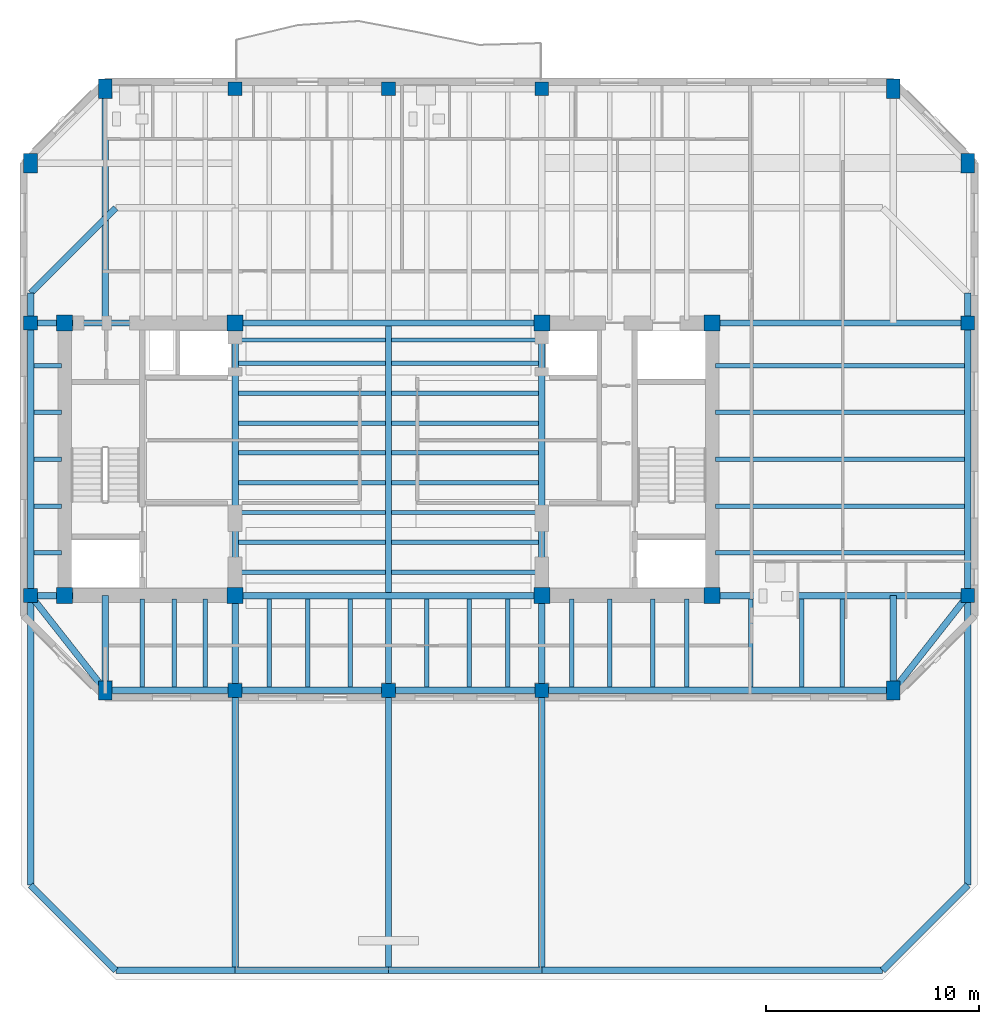
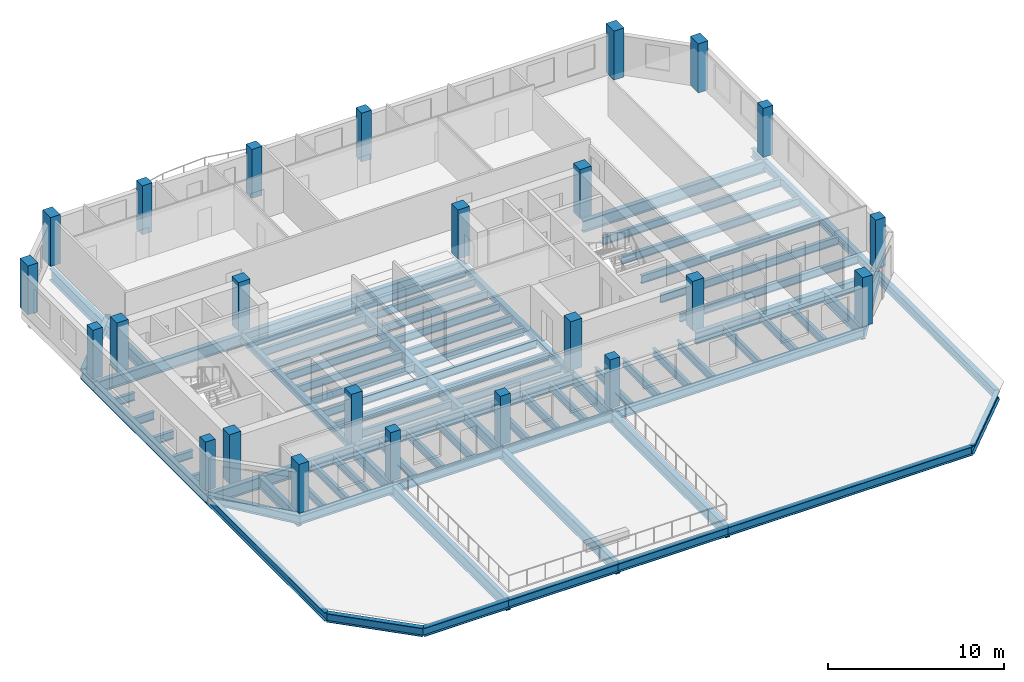
# One storey, part 1 of 10: 78 beams, 24 columns.
"""IFC4 building model written with IfcOpenShell, lengths in metres."""

from ifc_helpers import new_model, si_unit, direction, frame, origin, origin_2d, place, context, subcontext, project, spatial, rectangle, i_section, extrude, material, material_profile, profile_set, type_object, element, save


model = new_model("IFC4")

# Units and contexts
model_context = context("Model", 3, precision=1e-05, world=origin(), true_north=direction((0.0, 1.0)))
body_context = subcontext(model_context, "Body", "Model", "MODEL_VIEW")
ifc_project = project(units=[si_unit("LENGTHUNIT", "METRE"), si_unit("AREAUNIT", "SQUARE_METRE"), si_unit("VOLUMEUNIT", "CUBIC_METRE"), si_unit("PLANEANGLEUNIT", "RADIAN"), si_unit("MASSUNIT", "GRAM", prefix="KILO")], contexts=[model_context])

# Site, building, storey
site_placement = place(None, origin())
site = spatial("IfcSite", under=ifc_project, at=site_placement, CompositionType="ELEMENT")
building_placement = place(site_placement, origin())
building = spatial("IfcBuilding", under=site, at=building_placement, Name="Kranthara Brick Stack", CompositionType="ELEMENT")
storey_placement = place(building_placement, frame((0.0, 0.0, 248.300048828125)))
storey = spatial("IfcBuildingStorey", under=building, at=storey_placement, Name="L65", CompositionType="ELEMENT", Elevation=248.300048828125)

# Columns
ifc_material_1 = material(Name="Concrete C50/60", Category="concrete")
ifc_material_profile_1 = material_profile(ifc_material_1, rectangle(XDim=0.64990234375, YDim=0.89990234375, at=origin_2d()), Name="RC 650x900")
ifc_profile_set_1 = profile_set([ifc_material_profile_1], Name="Concrete C50/60")
column_type_1 = type_object("IfcColumnType", Name="COL-CHAM-650x900", PredefinedType="COLUMN", material=ifc_profile_set_1)
for number, where, z_axis, x_axis, name in (
    (1, (14.699951171875, 16.35009765625, 0.0), (0.0, 0.0, 1.0), (1.0, 0.0, 0.0), "L65 Column 09"),
    (2, (14.699951171875, 44.60009765625, 0.0), (0.0, 0.0, 1.0), (1.0, 0.0, 0.0), "L65 Column 10"),
    (3, (51.699951171875, 16.35009765625, 0.0), (0.0, 0.0, 1.0), (1.0, 0.0, 0.0), "L65 Column 17"),
    (4, (51.699951171875, 44.60009765625, 0.0), (0.0, 0.0, 1.0), (1.0, 0.0, 0.0), "L65 Column 18"),
    (5, (11.199951171875, 41.10009765625, 0.0), (0.0, 0.0, 1.0), (1.0, 0.0, 0.0), "L65 Column 23"),
    (6, (55.199951171875, 41.10009765625, 0.0), (0.0, 0.0, 1.0), (1.0, 0.0, 0.0), "L65 Column 24"),
):
    element("IfcColumn", number, at=place(storey_placement, frame(where, z_axis=z_axis, x_axis=x_axis)), inside=storey, type_object=column_type_1, Name=name, PredefinedType="COLUMN", context=body_context, shape_type="SweptSolid", body=[
        extrude(rectangle(XDim=0.64990234375, YDim=0.89990234375, at=origin_2d()), origin(), (0.0, 0.0, 1.0), 3.39990234375),
    ])
ifc_material_2 = material(Name="Concrete C50/60", Category="concrete")
ifc_material_profile_2 = material_profile(ifc_material_2, rectangle(XDim=0.75, YDim=0.75, at=origin_2d()), Name="RC 750x750")
ifc_profile_set_2 = profile_set([ifc_material_profile_2], Name="Concrete C50/60")
column_type_2 = type_object("IfcColumnType", Name="COL-CORE-750", PredefinedType="COLUMN", material=ifc_profile_set_2)
for number, where, z_axis, x_axis, name in (
    (7, (12.800048828125, 20.800048828125, 0.0), (0.0, 0.0, 1.0), (1.0, 0.0, 0.0), "L65 Column 01"),
    (8, (20.800048828125, 20.800048828125, 0.0), (0.0, 0.0, 1.0), (1.0, 0.0, 0.0), "L65 Column 02"),
    (9, (12.800048828125, 33.60009765625, 0.0), (0.0, 0.0, 1.0), (1.0, 0.0, 0.0), "L65 Column 03"),
    (10, (20.800048828125, 33.60009765625, 0.0), (0.0, 0.0, 1.0), (1.0, 0.0, 0.0), "L65 Column 04"),
    (11, (35.199951171875, 20.800048828125, 0.0), (0.0, 0.0, 1.0), (1.0, 0.0, 0.0), "L65 Column 05"),
    (12, (43.199951171875, 20.800048828125, 0.0), (0.0, 0.0, 1.0), (1.0, 0.0, 0.0), "L65 Column 06"),
    (13, (35.199951171875, 33.60009765625, 0.0), (0.0, 0.0, 1.0), (1.0, 0.0, 0.0), "L65 Column 07"),
    (14, (43.199951171875, 33.60009765625, 0.0), (0.0, 0.0, 1.0), (1.0, 0.0, 0.0), "L65 Column 08"),
):
    element("IfcColumn", number, at=place(storey_placement, frame(where, z_axis=z_axis, x_axis=x_axis)), inside=storey, type_object=column_type_2, Name=name, PredefinedType="COLUMN", context=body_context, shape_type="SweptSolid", body=[
        extrude(rectangle(XDim=0.75, YDim=0.75, at=origin_2d()), origin(), (0.0, 0.0, 1.0), 3.39990234375),
    ])
ifc_material_3 = material(Name="Concrete C50/60", Category="concrete")
ifc_material_profile_3 = material_profile(ifc_material_3, rectangle(XDim=0.64990234375, YDim=0.64990234375, at=origin_2d()), Name="RC 650x650")
ifc_profile_set_3 = profile_set([ifc_material_profile_3], Name="Concrete C50/60")
column_type_3 = type_object("IfcColumnType", Name="COL-PER-650", PredefinedType="COLUMN", material=ifc_profile_set_3)
for number, where, z_axis, x_axis, name in (
    (15, (20.800048828125, 16.35009765625, 0.0), (0.0, 0.0, 1.0), (1.0, 0.0, 0.0), "L65 Column 11"),
    (16, (20.800048828125, 44.60009765625, 0.0), (0.0, 0.0, 1.0), (1.0, 0.0, 0.0), "L65 Column 12"),
    (17, (28.0, 16.35009765625, 0.0), (0.0, 0.0, 1.0), (1.0, 0.0, 0.0), "L65 Column 13"),
    (18, (28.0, 44.60009765625, 0.0), (0.0, 0.0, 1.0), (1.0, 0.0, 0.0), "L65 Column 14"),
    (19, (35.199951171875, 16.35009765625, 0.0), (0.0, 0.0, 1.0), (1.0, 0.0, 0.0), "L65 Column 15"),
    (20, (35.199951171875, 44.60009765625, 0.0), (0.0, 0.0, 1.0), (1.0, 0.0, 0.0), "L65 Column 16"),
    (21, (11.199951171875, 20.800048828125, 0.0), (0.0, 0.0, 1.0), (1.0, 0.0, 0.0), "L65 Column 19"),
    (22, (55.199951171875, 20.800048828125, 0.0), (0.0, 0.0, 1.0), (1.0, 0.0, 0.0), "L65 Column 20"),
    (23, (11.199951171875, 33.60009765625, 0.0), (0.0, 0.0, 1.0), (1.0, 0.0, 0.0), "L65 Column 21"),
    (24, (55.199951171875, 33.60009765625, 0.0), (0.0, 0.0, 1.0), (1.0, 0.0, 0.0), "L65 Column 22"),
):
    element("IfcColumn", number, at=place(storey_placement, frame(where, z_axis=z_axis, x_axis=x_axis)), inside=storey, type_object=column_type_3, Name=name, PredefinedType="COLUMN", context=body_context, shape_type="SweptSolid", body=[
        extrude(rectangle(XDim=0.64990234375, YDim=0.64990234375, at=origin_2d()), origin(), (0.0, 0.0, 1.0), 3.39990234375),
    ])

# Beams
ifc_material_4 = material(Name="Steel S355", Category="steel")
ifc_material_profile_4 = material_profile(ifc_material_4, i_section(OverallWidth=0.2099609375, OverallDepth=0.550048828125, WebThickness=0.010986328125, FlangeThickness=0.01708984375, at=origin_2d()), Name="IPE 550")
ifc_profile_set_4 = profile_set([ifc_material_profile_4], Name="Steel S355")
beam_type_1 = type_object("IfcBeamType", Name="BM-JST-IPE550", PredefinedType="JOIST", material=ifc_profile_set_4)
for number, where, z_axis, x_axis, name in (
    (25, (20.949951171875, 21.89990234375, -0.72509765625), (1.0, 0.0, 0.0), (0.0, 1.0, 0.0), "L65 Central Floor Joist 055"),
    (26, (28.14990234375, 21.89990234375, -0.72509765625), (1.0, 0.0, 0.0), (0.0, 1.0, 0.0), "L65 Central Floor Joist 056"),
    (27, (20.949951171875, 23.300048828125, -0.72509765625), (1.0, 0.0, 0.0), (0.0, 1.0, 0.0), "L65 Central Floor Joist 057"),
    (28, (28.14990234375, 23.300048828125, -0.72509765625), (1.0, 0.0, 0.0), (0.0, 1.0, 0.0), "L65 Central Floor Joist 058"),
    (29, (20.949951171875, 24.699951171875, -0.72509765625), (1.0, 0.0, 0.0), (0.0, 1.0, 0.0), "L65 Central Floor Joist 059"),
    (30, (28.14990234375, 24.699951171875, -0.72509765625), (1.0, 0.0, 0.0), (0.0, 1.0, 0.0), "L65 Central Floor Joist 060"),
    (31, (20.949951171875, 26.10009765625, -0.72509765625), (1.0, 0.0, 0.0), (0.0, 1.0, 0.0), "L65 Central Floor Joist 061"),
    (32, (28.14990234375, 26.10009765625, -0.72509765625), (1.0, 0.0, 0.0), (0.0, 1.0, 0.0), "L65 Central Floor Joist 062"),
    (33, (20.949951171875, 27.5, -0.72509765625), (1.0, 0.0, 0.0), (0.0, 1.0, 0.0), "L65 Central Floor Joist 063"),
    (34, (28.14990234375, 27.5, -0.72509765625), (1.0, 0.0, 0.0), (0.0, 1.0, 0.0), "L65 Central Floor Joist 064"),
    (35, (20.949951171875, 28.89990234375, -0.72509765625), (1.0, 0.0, 0.0), (0.0, 1.0, 0.0), "L65 Central Floor Joist 065"),
    (36, (28.14990234375, 28.89990234375, -0.72509765625), (1.0, 0.0, 0.0), (0.0, 1.0, 0.0), "L65 Central Floor Joist 066"),
    (37, (20.949951171875, 30.300048828125, -0.72509765625), (1.0, 0.0, 0.0), (0.0, 1.0, 0.0), "L65 Central Floor Joist 067"),
    (38, (28.14990234375, 30.300048828125, -0.72509765625), (1.0, 0.0, 0.0), (0.0, 1.0, 0.0), "L65 Central Floor Joist 068"),
    (39, (20.949951171875, 31.699951171875, -0.72509765625), (1.0, 0.0, 0.0), (0.0, 1.0, 0.0), "L65 Central Floor Joist 069"),
    (40, (28.14990234375, 31.699951171875, -0.72509765625), (1.0, 0.0, 0.0), (0.0, 1.0, 0.0), "L65 Central Floor Joist 070"),
    (41, (20.949951171875, 32.800048828125, -0.72509765625), (1.0, 0.0, 0.0), (0.0, 1.0, 0.0), "L65 Central Floor Joist 071"),
    (42, (28.14990234375, 32.800048828125, -0.72509765625), (1.0, 0.0, 0.0), (0.0, 1.0, 0.0), "L65 Central Floor Joist 072"),
):
    element("IfcBeam", number, at=place(storey_placement, frame(where, z_axis=z_axis, x_axis=x_axis)), inside=storey, type_object=beam_type_1, Name=name, PredefinedType="JOIST", context=body_context, shape_type="SweptSolid", body=[
        extrude(i_section(OverallWidth=0.2099609375, OverallDepth=0.550048828125, WebThickness=0.010986328125, FlangeThickness=0.01708984375, at=origin_2d()), origin(), (0.0, 0.0, 1.0), 6.900146484375),
    ])
for number, where, z_axis, x_axis, name in (
    (43, (16.449951171875, 16.5, -0.72509765625), (0.0, 1.0, 0.0), (-1.0, 0.0, 0.0), "L65 South Wing Floor Joist 073"),
    (44, (17.949951171875, 16.5, -0.72509765625), (0.0, 1.0, 0.0), (-1.0, 0.0, 0.0), "L65 South Wing Floor Joist 075"),
    (45, (19.39990234375, 16.5, -0.72509765625), (0.0, 1.0, 0.0), (-1.0, 0.0, 0.0), "L65 South Wing Floor Joist 077"),
    (46, (22.39990234375, 16.5, -0.72509765625), (0.0, 1.0, 0.0), (-1.0, 0.0, 0.0), "L65 South Wing Floor Joist 079"),
    (47, (24.199951171875, 16.5, -0.72509765625), (0.0, 1.0, 0.0), (-1.0, 0.0, 0.0), "L65 South Wing Floor Joist 081"),
    (48, (26.199951171875, 16.5, -0.72509765625), (0.0, 1.0, 0.0), (-1.0, 0.0, 0.0), "L65 South Wing Floor Joist 083"),
    (49, (29.800048828125, 16.5, -0.72509765625), (0.0, 1.0, 0.0), (-1.0, 0.0, 0.0), "L65 South Wing Floor Joist 085"),
    (50, (31.800048828125, 16.5, -0.72509765625), (0.0, 1.0, 0.0), (-1.0, 0.0, 0.0), "L65 South Wing Floor Joist 087"),
    (51, (33.60009765625, 16.5, -0.72509765625), (0.0, 1.0, 0.0), (-1.0, 0.0, 0.0), "L65 South Wing Floor Joist 089"),
    (52, (36.60009765625, 16.5, -0.72509765625), (0.0, 1.0, 0.0), (-1.0, 0.0, 0.0), "L65 South Wing Floor Joist 091"),
    (53, (38.39990234375, 16.5, -0.72509765625), (0.0, 1.0, 0.0), (-1.0, 0.0, 0.0), "L65 South Wing Floor Joist 093"),
    (54, (40.39990234375, 16.5, -0.72509765625), (0.0, 1.0, 0.0), (-1.0, 0.0, 0.0), "L65 South Wing Floor Joist 095"),
    (55, (42.0, 16.5, -0.72509765625), (0.0, 1.0, 0.0), (-1.0, 0.0, 0.0), "L65 South Wing Floor Joist 097"),
    (56, (45.0, 16.5, -0.72509765625), (0.0, 1.0, 0.0), (-1.0, 0.0, 0.0), "L65 South Wing Floor Joist 099"),
    (57, (47.39990234375, 16.5, -0.72509765625), (0.0, 1.0, 0.0), (-1.0, 0.0, 0.0), "L65 South Wing Floor Joist 101"),
    (58, (49.300048828125, 16.5, -0.72509765625), (0.0, 1.0, 0.0), (-1.0, 0.0, 0.0), "L65 South Wing Floor Joist 103"),
):
    element("IfcBeam", number, at=place(storey_placement, frame(where, z_axis=z_axis, x_axis=x_axis)), inside=storey, type_object=beam_type_1, Name=name, PredefinedType="JOIST", context=body_context, shape_type="SweptSolid", body=[
        extrude(i_section(OverallWidth=0.2099609375, OverallDepth=0.550048828125, WebThickness=0.010986328125, FlangeThickness=0.01708984375, at=origin_2d()), origin(), (0.0, 0.0, 1.0), 4.14990234375),
    ])
beam_1_placement = place(storey_placement, frame((11.35009765625, 22.800048828125, -0.72509765625), z_axis=(1.0, 0.0, 0.0), x_axis=(0.0, 1.0, 0.0)))
element("IfcBeam", 59, at=beam_1_placement, inside=storey, type_object=beam_type_1, Name="L65 West Wing Floor Joist 105", PredefinedType="JOIST", context=body_context, shape_type="SweptSolid", body=[
    extrude(i_section(OverallWidth=0.2099609375, OverallDepth=0.550048828125, WebThickness=0.010986328125, FlangeThickness=0.01708984375, at=origin_2d()), origin(), (0.0, 0.0, 1.0), 1.2998046875),
])
beam_2_placement = place(storey_placement, frame((43.35009765625, 22.800048828125, -0.72509765625), z_axis=(1.0, 0.0, 0.0), x_axis=(0.0, 1.0, 0.0)))
element("IfcBeam", 60, at=beam_2_placement, inside=storey, type_object=beam_type_1, Name="L65 East Wing Floor Joist 106", PredefinedType="JOIST", context=body_context, shape_type="SweptSolid", body=[
    extrude(i_section(OverallWidth=0.2099609375, OverallDepth=0.550048828125, WebThickness=0.010986328125, FlangeThickness=0.01708984375, at=origin_2d()), origin(), (0.0, 0.0, 1.0), 11.699951171875),
])
beam_3_placement = place(storey_placement, frame((11.35009765625, 25.0, -0.72509765625), z_axis=(1.0, 0.0, 0.0), x_axis=(0.0, 1.0, 0.0)))
element("IfcBeam", 61, at=beam_3_placement, inside=storey, type_object=beam_type_1, Name="L65 West Wing Floor Joist 107", PredefinedType="JOIST", context=body_context, shape_type="SweptSolid", body=[
    extrude(i_section(OverallWidth=0.2099609375, OverallDepth=0.550048828125, WebThickness=0.010986328125, FlangeThickness=0.01708984375, at=origin_2d()), origin(), (0.0, 0.0, 1.0), 1.2998046875),
])
beam_4_placement = place(storey_placement, frame((43.35009765625, 25.0, -0.72509765625), z_axis=(1.0, 0.0, 0.0), x_axis=(0.0, 1.0, 0.0)))
element("IfcBeam", 62, at=beam_4_placement, inside=storey, type_object=beam_type_1, Name="L65 East Wing Floor Joist 108", PredefinedType="JOIST", context=body_context, shape_type="SweptSolid", body=[
    extrude(i_section(OverallWidth=0.2099609375, OverallDepth=0.550048828125, WebThickness=0.010986328125, FlangeThickness=0.01708984375, at=origin_2d()), origin(), (0.0, 0.0, 1.0), 11.699951171875),
])
beam_5_placement = place(storey_placement, frame((11.35009765625, 27.199951171875, -0.72509765625), z_axis=(1.0, 0.0, 0.0), x_axis=(0.0, 1.0, 0.0)))
element("IfcBeam", 63, at=beam_5_placement, inside=storey, type_object=beam_type_1, Name="L65 West Wing Floor Joist 109", PredefinedType="JOIST", context=body_context, shape_type="SweptSolid", body=[
    extrude(i_section(OverallWidth=0.2099609375, OverallDepth=0.550048828125, WebThickness=0.010986328125, FlangeThickness=0.01708984375, at=origin_2d()), origin(), (0.0, 0.0, 1.0), 1.2998046875),
])
beam_6_placement = place(storey_placement, frame((43.35009765625, 27.199951171875, -0.72509765625), z_axis=(1.0, 0.0, 0.0), x_axis=(0.0, 1.0, 0.0)))
element("IfcBeam", 64, at=beam_6_placement, inside=storey, type_object=beam_type_1, Name="L65 East Wing Floor Joist 110", PredefinedType="JOIST", context=body_context, shape_type="SweptSolid", body=[
    extrude(i_section(OverallWidth=0.2099609375, OverallDepth=0.550048828125, WebThickness=0.010986328125, FlangeThickness=0.01708984375, at=origin_2d()), origin(), (0.0, 0.0, 1.0), 11.699951171875),
])
beam_7_placement = place(storey_placement, frame((11.35009765625, 29.39990234375, -0.72509765625), z_axis=(1.0, 0.0, 0.0), x_axis=(0.0, 1.0, 0.0)))
element("IfcBeam", 65, at=beam_7_placement, inside=storey, type_object=beam_type_1, Name="L65 West Wing Floor Joist 111", PredefinedType="JOIST", context=body_context, shape_type="SweptSolid", body=[
    extrude(i_section(OverallWidth=0.2099609375, OverallDepth=0.550048828125, WebThickness=0.010986328125, FlangeThickness=0.01708984375, at=origin_2d()), origin(), (0.0, 0.0, 1.0), 1.2998046875),
])
beam_8_placement = place(storey_placement, frame((43.35009765625, 29.39990234375, -0.72509765625), z_axis=(1.0, 0.0, 0.0), x_axis=(0.0, 1.0, 0.0)))
element("IfcBeam", 66, at=beam_8_placement, inside=storey, type_object=beam_type_1, Name="L65 East Wing Floor Joist 112", PredefinedType="JOIST", context=body_context, shape_type="SweptSolid", body=[
    extrude(i_section(OverallWidth=0.2099609375, OverallDepth=0.550048828125, WebThickness=0.010986328125, FlangeThickness=0.01708984375, at=origin_2d()), origin(), (0.0, 0.0, 1.0), 11.699951171875),
])
beam_9_placement = place(storey_placement, frame((11.35009765625, 31.60009765625, -0.72509765625), z_axis=(1.0, 0.0, 0.0), x_axis=(0.0, 1.0, 0.0)))
element("IfcBeam", 67, at=beam_9_placement, inside=storey, type_object=beam_type_1, Name="L65 West Wing Floor Joist 113", PredefinedType="JOIST", context=body_context, shape_type="SweptSolid", body=[
    extrude(i_section(OverallWidth=0.2099609375, OverallDepth=0.550048828125, WebThickness=0.010986328125, FlangeThickness=0.01708984375, at=origin_2d()), origin(), (0.0, 0.0, 1.0), 1.2998046875),
])
beam_10_placement = place(storey_placement, frame((43.35009765625, 31.60009765625, -0.72509765625), z_axis=(1.0, 0.0, 0.0), x_axis=(0.0, 1.0, 0.0)))
element("IfcBeam", 68, at=beam_10_placement, inside=storey, type_object=beam_type_1, Name="L65 East Wing Floor Joist 114", PredefinedType="JOIST", context=body_context, shape_type="SweptSolid", body=[
    extrude(i_section(OverallWidth=0.2099609375, OverallDepth=0.550048828125, WebThickness=0.010986328125, FlangeThickness=0.01708984375, at=origin_2d()), origin(), (0.0, 0.0, 1.0), 11.699951171875),
])
ifc_material_5 = material(Name="Steel S355", Category="steel")
ifc_material_profile_5 = material_profile(ifc_material_5, i_section(OverallWidth=0.300048828125, OverallDepth=0.449951171875, WebThickness=0.013916015625, FlangeThickness=0.02587890625, at=origin_2d()), Name="HEB 450")
ifc_profile_set_5 = profile_set([ifc_material_profile_5], Name="Steel S355")
beam_type_2 = type_object("IfcBeamType", Name="BM-STL-HEB450", PredefinedType="SPANDREL", material=ifc_profile_set_5)
for number, where, z_axis, x_axis, name in (
    (69, (20.800048828125, 20.800048828125, -0.675048828125), (0.0, 1.0, 0.0), (-1.0, 0.0, 0.0), "L65 Core Edge Tie Beam 003"),
    (70, (35.199951171875, 20.800048828125, -0.675048828125), (0.0, 1.0, 0.0), (-1.0, 0.0, 0.0), "L65 Core Edge Tie Beam 004"),
):
    element("IfcBeam", number, at=place(storey_placement, frame(where, z_axis=z_axis, x_axis=x_axis)), inside=storey, type_object=beam_type_2, Name=name, PredefinedType="SPANDREL", context=body_context, shape_type="SweptSolid", body=[
        extrude(i_section(OverallWidth=0.300048828125, OverallDepth=0.449951171875, WebThickness=0.013916015625, FlangeThickness=0.02587890625, at=origin_2d()), origin(), (0.0, 0.0, 1.0), 12.800048828125),
    ])
ifc_material_6 = material(Name="Steel S355", Category="steel")
ifc_material_profile_6 = material_profile(ifc_material_6, i_section(OverallWidth=0.300048828125, OverallDepth=0.60009765625, WebThickness=0.015380859375, FlangeThickness=0.030029296875, at=origin_2d()), Name="HEB 600")
ifc_profile_set_6 = profile_set([ifc_material_profile_6], Name="Steel S355")
beam_type_3 = type_object("IfcBeamType", Name="BM-STL-HEB600", PredefinedType="BEAM", material=ifc_profile_set_6)
beam_11_placement = place(storey_placement, frame((15.199951171875, 3.199951171875, -0.75), z_axis=(1.0, 0.0, 0.0), x_axis=(0.0, 1.0, 0.0)))
element("IfcBeam", 71, at=beam_11_placement, inside=storey, type_object=beam_type_3, Name="L65 Perimeter Spandrel Beam 005", PredefinedType="BEAM", context=body_context, shape_type="SweptSolid", body=[
    extrude(i_section(OverallWidth=0.300048828125, OverallDepth=0.60009765625, WebThickness=0.015380859375, FlangeThickness=0.030029296875, at=origin_2d()), origin(), (0.0, 0.0, 1.0), 5.60009765625),
])
for number, where, z_axis, x_axis, name in (
    (72, (20.800048828125, 3.199951171875, -0.75), (1.0, 0.0, 0.0), (0.0, 1.0, 0.0), "L65 Perimeter Spandrel Beam 006"),
    (73, (28.0, 3.199951171875, -0.75), (1.0, 0.0, 0.0), (0.0, 1.0, 0.0), "L65 Perimeter Spandrel Beam 007"),
):
    element("IfcBeam", number, at=place(storey_placement, frame(where, z_axis=z_axis, x_axis=x_axis)), inside=storey, type_object=beam_type_3, Name=name, PredefinedType="BEAM", context=body_context, shape_type="SweptSolid", body=[
        extrude(i_section(OverallWidth=0.300048828125, OverallDepth=0.60009765625, WebThickness=0.015380859375, FlangeThickness=0.030029296875, at=origin_2d()), origin(), (0.0, 0.0, 1.0), 7.199951171875),
    ])
beam_12_placement = place(storey_placement, frame((35.199951171875, 3.199951171875, -0.75), z_axis=(1.0, 0.0, 0.0), x_axis=(0.0, 1.0, 0.0)))
element("IfcBeam", 74, at=beam_12_placement, inside=storey, type_object=beam_type_3, Name="L65 Perimeter Spandrel Beam 008", PredefinedType="BEAM", context=body_context, shape_type="SweptSolid", body=[
    extrude(i_section(OverallWidth=0.300048828125, OverallDepth=0.60009765625, WebThickness=0.015380859375, FlangeThickness=0.030029296875, at=origin_2d()), origin(), (0.0, 0.0, 1.0), 16.0),
])
beam_13_placement = place(storey_placement, frame((11.199951171875, 7.199951171875, -0.75), z_axis=(0.0, 1.0, 0.0), x_axis=(-1.0, 0.0, 0.0)))
element("IfcBeam", 75, at=beam_13_placement, inside=storey, type_object=beam_type_3, Name="L65 Perimeter Spandrel Beam 013", PredefinedType="BEAM", context=body_context, shape_type="SweptSolid", body=[
    extrude(i_section(OverallWidth=0.300048828125, OverallDepth=0.60009765625, WebThickness=0.015380859375, FlangeThickness=0.030029296875, at=origin_2d()), origin(), (0.0, 0.0, 1.0), 13.60009765625),
])
beam_14_placement = place(storey_placement, frame((11.199951171875, 20.800048828125, -0.75), z_axis=(0.0, 1.0, 0.0), x_axis=(-1.0, 0.0, 0.0)))
element("IfcBeam", 76, at=beam_14_placement, inside=storey, type_object=beam_type_3, Name="L65 Perimeter Spandrel Beam 014", PredefinedType="BEAM", context=body_context, shape_type="SweptSolid", body=[
    extrude(i_section(OverallWidth=0.300048828125, OverallDepth=0.60009765625, WebThickness=0.015380859375, FlangeThickness=0.030029296875, at=origin_2d()), origin(), (0.0, 0.0, 1.0), 12.800048828125),
])
beam_15_placement = place(storey_placement, frame((11.199951171875, 33.60009765625, -0.75), z_axis=(0.0, 1.0, 0.0), x_axis=(-1.0, 0.0, 0.0)))
element("IfcBeam", 77, at=beam_15_placement, inside=storey, type_object=beam_type_3, Name="L65 Perimeter Spandrel Beam 015", PredefinedType="BEAM", context=body_context, shape_type="SweptSolid", body=[
    extrude(i_section(OverallWidth=0.300048828125, OverallDepth=0.60009765625, WebThickness=0.015380859375, FlangeThickness=0.030029296875, at=origin_2d()), origin(), (0.0, 0.0, 1.0), 1.39990234375),
])
beam_16_placement = place(storey_placement, frame((55.199951171875, 7.199951171875, -0.75), z_axis=(0.0, 1.0, 0.0), x_axis=(-1.0, 0.0, 0.0)))
element("IfcBeam", 78, at=beam_16_placement, inside=storey, type_object=beam_type_3, Name="L65 Perimeter Spandrel Beam 016", PredefinedType="BEAM", context=body_context, shape_type="SweptSolid", body=[
    extrude(i_section(OverallWidth=0.300048828125, OverallDepth=0.60009765625, WebThickness=0.015380859375, FlangeThickness=0.030029296875, at=origin_2d()), origin(), (0.0, 0.0, 1.0), 13.60009765625),
])
beam_17_placement = place(storey_placement, frame((55.199951171875, 20.800048828125, -0.75), z_axis=(0.0, 1.0, 0.0), x_axis=(-1.0, 0.0, 0.0)))
element("IfcBeam", 79, at=beam_17_placement, inside=storey, type_object=beam_type_3, Name="L65 Perimeter Spandrel Beam 017", PredefinedType="BEAM", context=body_context, shape_type="SweptSolid", body=[
    extrude(i_section(OverallWidth=0.300048828125, OverallDepth=0.60009765625, WebThickness=0.015380859375, FlangeThickness=0.030029296875, at=origin_2d()), origin(), (0.0, 0.0, 1.0), 12.800048828125),
])
beam_18_placement = place(storey_placement, frame((55.199951171875, 33.60009765625, -0.75), z_axis=(0.0, 1.0, 0.0), x_axis=(-1.0, 0.0, 0.0)))
element("IfcBeam", 80, at=beam_18_placement, inside=storey, type_object=beam_type_3, Name="L65 Perimeter Spandrel Beam 018", PredefinedType="BEAM", context=body_context, shape_type="SweptSolid", body=[
    extrude(i_section(OverallWidth=0.300048828125, OverallDepth=0.60009765625, WebThickness=0.015380859375, FlangeThickness=0.030029296875, at=origin_2d()), origin(), (0.0, 0.0, 1.0), 1.39990234375),
])
for number, where, z_axis, x_axis, name in (
    (81, (15.199951171875, 3.199951171875, -0.75), (-0.707106781187, 0.707106781187, 0.0), (-0.707106781187, -0.707106781187, 0.0), "L65 Chamfer Corner Spandrel 019"),
    (82, (51.199951171875, 3.199951171875, -0.75), (0.707106781187, 0.707106781187, 0.0), (-0.707106781187, 0.707106781187, 0.0), "L65 Chamfer Corner Spandrel 020"),
    (83, (15.199951171875, 39.0, -0.75), (-0.707106781187, -0.707106781187, 0.0), (0.707106781187, -0.707106781187, 0.0), "L65 Chamfer Corner Spandrel 021"),
):
    element("IfcBeam", number, at=place(storey_placement, frame(where, z_axis=z_axis, x_axis=x_axis)), inside=storey, type_object=beam_type_3, Name=name, PredefinedType="BEAM", context=body_context, shape_type="SweptSolid", body=[
        extrude(i_section(OverallWidth=0.300048828125, OverallDepth=0.60009765625, WebThickness=0.015380859375, FlangeThickness=0.030029296875, at=origin_2d()), origin(), (0.0, 0.0, 1.0), 5.65673828125),
    ])
beam_19_placement = place(storey_placement, frame((14.699951171875, 16.35009765625, -0.75), z_axis=(1.0, 0.0, 0.0), x_axis=(0.0, 1.0, 0.0)))
element("IfcBeam", 84, at=beam_19_placement, inside=storey, type_object=beam_type_3, Name="L65 Perimeter Spandrel Beam 023", PredefinedType="BEAM", context=body_context, shape_type="SweptSolid", body=[
    extrude(i_section(OverallWidth=0.300048828125, OverallDepth=0.60009765625, WebThickness=0.015380859375, FlangeThickness=0.030029296875, at=origin_2d()), origin(), (0.0, 0.0, 1.0), 6.10009765625),
])
for number, where, z_axis, x_axis, name in (
    (85, (20.800048828125, 16.35009765625, -0.75), (1.0, 0.0, 0.0), (0.0, 1.0, 0.0), "L65 Perimeter Spandrel Beam 024"),
    (86, (28.0, 16.35009765625, -0.75), (1.0, 0.0, 0.0), (0.0, 1.0, 0.0), "L65 Perimeter Spandrel Beam 025"),
):
    element("IfcBeam", number, at=place(storey_placement, frame(where, z_axis=z_axis, x_axis=x_axis)), inside=storey, type_object=beam_type_3, Name=name, PredefinedType="BEAM", context=body_context, shape_type="SweptSolid", body=[
        extrude(i_section(OverallWidth=0.300048828125, OverallDepth=0.60009765625, WebThickness=0.015380859375, FlangeThickness=0.030029296875, at=origin_2d()), origin(), (0.0, 0.0, 1.0), 7.199951171875),
    ])
beam_20_placement = place(storey_placement, frame((35.199951171875, 16.35009765625, -0.75), z_axis=(1.0, 0.0, 0.0), x_axis=(0.0, 1.0, 0.0)))
element("IfcBeam", 87, at=beam_20_placement, inside=storey, type_object=beam_type_3, Name="L65 Perimeter Spandrel Beam 026", PredefinedType="BEAM", context=body_context, shape_type="SweptSolid", body=[
    extrude(i_section(OverallWidth=0.300048828125, OverallDepth=0.60009765625, WebThickness=0.015380859375, FlangeThickness=0.030029296875, at=origin_2d()), origin(), (0.0, 0.0, 1.0), 16.5),
])
for number, where, z_axis, x_axis, name in (
    (88, (14.699951171875, 16.35009765625, -0.75), (-0.618215705636, 0.78600848679, 0.0), (-0.78600848679, -0.618215705636, 0.0), "L65 Chamfer Corner Spandrel 031"),
    (89, (51.699951171875, 16.35009765625, -0.75), (0.618215705636, 0.78600848679, 0.0), (-0.78600848679, 0.618215705636, 0.0), "L65 Chamfer Corner Spandrel 032"),
):
    element("IfcBeam", number, at=place(storey_placement, frame(where, z_axis=z_axis, x_axis=x_axis)), inside=storey, type_object=beam_type_3, Name=name, PredefinedType="BEAM", context=body_context, shape_type="SweptSolid", body=[
        extrude(i_section(OverallWidth=0.300048828125, OverallDepth=0.60009765625, WebThickness=0.015380859375, FlangeThickness=0.030029296875, at=origin_2d()), origin(), (0.0, 0.0, 1.0), 5.661376953125),
    ])
ifc_material_7 = material(Name="Steel S355", Category="steel")
ifc_material_profile_7 = material_profile(ifc_material_7, i_section(OverallWidth=0.300048828125, OverallDepth=0.800048828125, WebThickness=0.017578125, FlangeThickness=0.032958984375, at=origin_2d()), Name="HEB 800")
ifc_profile_set_7 = profile_set([ifc_material_profile_7], Name="Steel S355")
beam_type_4 = type_object("IfcBeamType", Name="BM-TR-HEB800", PredefinedType="BEAM", material=ifc_profile_set_7)
for number, where, z_axis, x_axis, name in (
    (90, (20.800048828125, 20.800048828125, -0.85009765625), (1.0, 0.0, 0.0), (0.0, 1.0, 0.0), "L65 Core Coupling Beam 001"),
    (91, (20.800048828125, 33.60009765625, -0.85009765625), (1.0, 0.0, 0.0), (0.0, 1.0, 0.0), "L65 Core Coupling Beam 002"),
):
    element("IfcBeam", number, at=place(storey_placement, frame(where, z_axis=z_axis, x_axis=x_axis)), inside=storey, type_object=beam_type_4, Name=name, PredefinedType="BEAM", context=body_context, shape_type="SweptSolid", body=[
        extrude(i_section(OverallWidth=0.300048828125, OverallDepth=0.800048828125, WebThickness=0.017578125, FlangeThickness=0.032958984375, at=origin_2d()), origin(), (0.0, 0.0, 1.0), 14.39990234375),
    ])
beam_21_placement = place(storey_placement, frame((20.800048828125, 3.199951171875, -0.85009765625), z_axis=(0.0, 1.0, 0.0), x_axis=(-1.0, 0.0, 0.0)))
element("IfcBeam", 92, at=beam_21_placement, inside=storey, type_object=beam_type_4, Name="L65 Primary Grid Girder 035", PredefinedType="BEAM", context=body_context, shape_type="SweptSolid", body=[
    extrude(i_section(OverallWidth=0.300048828125, OverallDepth=0.800048828125, WebThickness=0.017578125, FlangeThickness=0.032958984375, at=origin_2d()), origin(), (0.0, 0.0, 1.0), 17.60009765625),
])
beam_22_placement = place(storey_placement, frame((28.0, 3.199951171875, -0.85009765625), z_axis=(0.0, 1.0, 0.0), x_axis=(-1.0, 0.0, 0.0)))
element("IfcBeam", 93, at=beam_22_placement, inside=storey, type_object=beam_type_4, Name="L65 Primary Grid Girder 038", PredefinedType="BEAM", context=body_context, shape_type="SweptSolid", body=[
    extrude(i_section(OverallWidth=0.300048828125, OverallDepth=0.800048828125, WebThickness=0.017578125, FlangeThickness=0.032958984375, at=origin_2d()), origin(), (0.0, 0.0, 1.0), 17.449951171875),
])
beam_23_placement = place(storey_placement, frame((28.0, 20.949951171875, -0.85009765625), z_axis=(0.0, 1.0, 0.0), x_axis=(-1.0, 0.0, 0.0)))
element("IfcBeam", 94, at=beam_23_placement, inside=storey, type_object=beam_type_4, Name="L65 Central Spine Girder 039", PredefinedType="BEAM", context=body_context, shape_type="SweptSolid", body=[
    extrude(i_section(OverallWidth=0.300048828125, OverallDepth=0.800048828125, WebThickness=0.017578125, FlangeThickness=0.032958984375, at=origin_2d()), origin(), (0.0, 0.0, 1.0), 12.5),
])
beam_24_placement = place(storey_placement, frame((35.199951171875, 3.199951171875, -0.85009765625), z_axis=(0.0, 1.0, 0.0), x_axis=(-1.0, 0.0, 0.0)))
element("IfcBeam", 95, at=beam_24_placement, inside=storey, type_object=beam_type_4, Name="L65 Primary Grid Girder 042", PredefinedType="BEAM", context=body_context, shape_type="SweptSolid", body=[
    extrude(i_section(OverallWidth=0.300048828125, OverallDepth=0.800048828125, WebThickness=0.017578125, FlangeThickness=0.032958984375, at=origin_2d()), origin(), (0.0, 0.0, 1.0), 17.60009765625),
])
beam_25_placement = place(storey_placement, frame((11.199951171875, 20.800048828125, -0.85009765625), z_axis=(1.0, 0.0, 0.0), x_axis=(0.0, 1.0, 0.0)))
element("IfcBeam", 96, at=beam_25_placement, inside=storey, type_object=beam_type_4, Name="L65 Primary Grid Girder 045", PredefinedType="BEAM", context=body_context, shape_type="SweptSolid", body=[
    extrude(i_section(OverallWidth=0.300048828125, OverallDepth=0.800048828125, WebThickness=0.017578125, FlangeThickness=0.032958984375, at=origin_2d()), origin(), (0.0, 0.0, 1.0), 9.60009765625),
])
beam_26_placement = place(storey_placement, frame((43.199951171875, 20.800048828125, -0.85009765625), z_axis=(1.0, 0.0, 0.0), x_axis=(0.0, 1.0, 0.0)))
element("IfcBeam", 97, at=beam_26_placement, inside=storey, type_object=beam_type_4, Name="L65 Primary Grid Girder 046", PredefinedType="BEAM", context=body_context, shape_type="SweptSolid", body=[
    extrude(i_section(OverallWidth=0.300048828125, OverallDepth=0.800048828125, WebThickness=0.017578125, FlangeThickness=0.032958984375, at=origin_2d()), origin(), (0.0, 0.0, 1.0), 12.0),
])
beam_27_placement = place(storey_placement, frame((11.199951171875, 33.60009765625, -0.85009765625), z_axis=(1.0, 0.0, 0.0), x_axis=(0.0, 1.0, 0.0)))
element("IfcBeam", 98, at=beam_27_placement, inside=storey, type_object=beam_type_4, Name="L65 Primary Grid Girder 047", PredefinedType="BEAM", context=body_context, shape_type="SweptSolid", body=[
    extrude(i_section(OverallWidth=0.300048828125, OverallDepth=0.800048828125, WebThickness=0.017578125, FlangeThickness=0.032958984375, at=origin_2d()), origin(), (0.0, 0.0, 1.0), 9.60009765625),
])
beam_28_placement = place(storey_placement, frame((43.199951171875, 33.60009765625, -0.85009765625), z_axis=(1.0, 0.0, 0.0), x_axis=(0.0, 1.0, 0.0)))
element("IfcBeam", 99, at=beam_28_placement, inside=storey, type_object=beam_type_4, Name="L65 Primary Grid Girder 048", PredefinedType="BEAM", context=body_context, shape_type="SweptSolid", body=[
    extrude(i_section(OverallWidth=0.300048828125, OverallDepth=0.800048828125, WebThickness=0.017578125, FlangeThickness=0.032958984375, at=origin_2d()), origin(), (0.0, 0.0, 1.0), 12.0),
])
beam_29_placement = place(storey_placement, frame((14.699951171875, 16.35009765625, -0.85009765625), z_axis=(0.0, 1.0, 0.0), x_axis=(-1.0, 0.0, 0.0)))
element("IfcBeam", 100, at=beam_29_placement, inside=storey, type_object=beam_type_4, Name="L65 Transfer Tie Girder 049", PredefinedType="BEAM", context=body_context, shape_type="SweptSolid", body=[
    extrude(i_section(OverallWidth=0.300048828125, OverallDepth=0.800048828125, WebThickness=0.017578125, FlangeThickness=0.032958984375, at=origin_2d()), origin(), (0.0, 0.0, 1.0), 4.449951171875),
])
beam_30_placement = place(storey_placement, frame((14.699951171875, 44.60009765625, -0.85009765625), z_axis=(0.0, -1.0, 0.0), x_axis=(1.0, 0.0, 0.0)))
element("IfcBeam", 101, at=beam_30_placement, inside=storey, type_object=beam_type_4, Name="L65 Transfer Tie Girder 050", PredefinedType="BEAM", context=body_context, shape_type="SweptSolid", body=[
    extrude(i_section(OverallWidth=0.300048828125, OverallDepth=0.800048828125, WebThickness=0.017578125, FlangeThickness=0.032958984375, at=origin_2d()), origin(), (0.0, 0.0, 1.0), 11.0),
])
beam_31_placement = place(storey_placement, frame((51.699951171875, 16.35009765625, -0.85009765625), z_axis=(0.0, 1.0, 0.0), x_axis=(-1.0, 0.0, 0.0)))
element("IfcBeam", 102, at=beam_31_placement, inside=storey, type_object=beam_type_4, Name="L65 Transfer Tie Girder 051", PredefinedType="BEAM", context=body_context, shape_type="SweptSolid", body=[
    extrude(i_section(OverallWidth=0.300048828125, OverallDepth=0.800048828125, WebThickness=0.017578125, FlangeThickness=0.032958984375, at=origin_2d()), origin(), (0.0, 0.0, 1.0), 4.449951171875),
])

save(model, "model.ifc")
